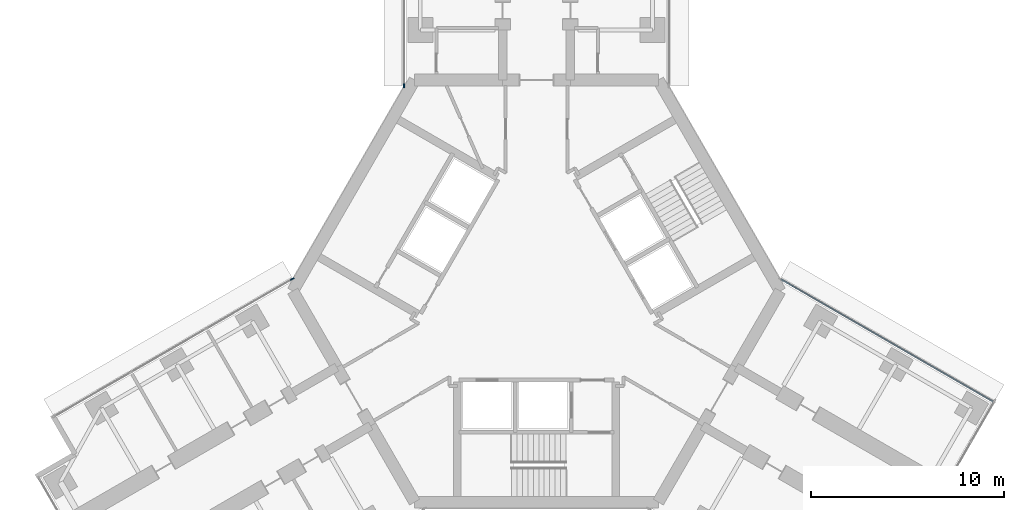
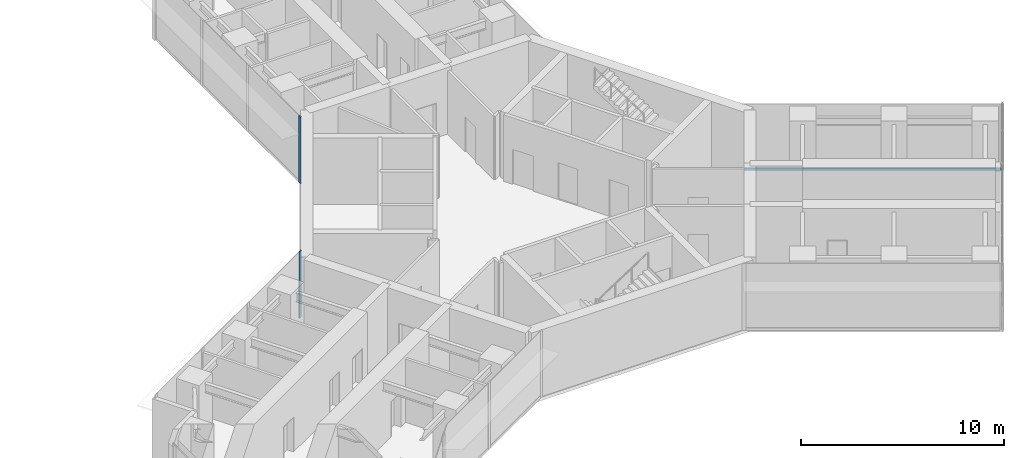
# One storey, part 9 of 22: 3 members, 3 elements without a shape of their own.
"""IFC4 building model written with IfcOpenShell, lengths in metres."""

from ifc_helpers import new_model, si_unit, direction, frame, origin, origin_2d, place, context, subcontext, project, spatial, rectangle, extrude, material, material_profile, profile_set, type_object, element, aggregate, save


model = new_model("IFC4")

# Units and contexts
model_context = context("Model", 3, precision=1e-05, world=origin(), true_north=direction((0.0, 1.0)))
body_context = subcontext(model_context, "Body", "Model", "MODEL_VIEW")
ifc_project = project(units=[si_unit("LENGTHUNIT", "METRE"), si_unit("AREAUNIT", "SQUARE_METRE"), si_unit("VOLUMEUNIT", "CUBIC_METRE"), si_unit("PLANEANGLEUNIT", "RADIAN"), si_unit("MASSUNIT", "GRAM", prefix="KILO")], contexts=[model_context])

# Site, building, storey
site_placement = place(None, origin())
site = spatial("IfcSite", under=ifc_project, at=site_placement, CompositionType="ELEMENT")
building_placement = place(site_placement, origin())
building = spatial("IfcBuilding", under=site, at=building_placement, Name="Upepo Twin Towers", CompositionType="ELEMENT")
storey_placement = place(building_placement, frame((0.0, 0.0, 121.5)))
storey = spatial("IfcBuildingStorey", under=building, at=storey_placement, Name="L29", CompositionType="ELEMENT", Elevation=121.5)

# Curtain wall, member
ifc_material_1 = material(Name="Aluminium and fritted glass", Category="aluminium")
curtain_wall_type = type_object("IfcCurtainWallType", Name="Tower curtain wall TW2, fritted glass", PredefinedType="NOTDEFINED", material=ifc_material_1)
curtain_wall_1_placement = place(storey_placement, origin())
curtain_wall_1 = element("IfcCurtainWall", 1, at=curtain_wall_1_placement, inside=storey, type_object=curtain_wall_type, Name="T2 L29 wing A flank L curtain wall", PredefinedType="NOTDEFINED")
ifc_material_2 = material(Name="Aluminium mullion", Category="aluminium")
ifc_material_profile_1 = material_profile(ifc_material_2, rectangle(XDim=0.06494140625, YDim=0.199951171875, at=origin_2d()), Name="MULLION 65x200")
ifc_profile_set_1 = profile_set([ifc_material_profile_1], Name="Aluminium mullion")
member_type_1 = type_object("IfcMemberType", Name="Mullion 65x200 TW2", PredefinedType="MULLION", material=ifc_profile_set_1)
member_1_placement = place(storey_placement, frame((51.64990234375, -7.38037109375, 0.0), z_axis=(0.0, 0.0, 1.0), x_axis=(-1.0, 0.0, 0.0)))
member_1 = element("IfcMember", 2, at=member_1_placement, type_object=member_type_1, Name="T2 L29 wing A flank L curtain wall mullion 1", PredefinedType="MULLION", context=body_context, shape_type="SweptSolid", body=[
    extrude(rectangle(XDim=0.06494140625, YDim=0.199951171875, at=origin_2d()), origin(), (0.0, 0.0, 1.0), 4.0),
])
aggregate(curtain_wall_1, [member_1])

curtain_wall_2_placement = place(storey_placement, origin())
curtain_wall_2 = element("IfcCurtainWall", 3, at=curtain_wall_2_placement, inside=storey, type_object=curtain_wall_type, Name="T2 L29 wing B flank R curtain wall", PredefinedType="NOTDEFINED")
member_2_placement = place(storey_placement, frame((45.878173828125, -17.37744140625, 0.0), z_axis=(0.0, 0.0, 1.0), x_axis=(-0.500000010308, 0.866025397833, 0.0)))
member_2 = element("IfcMember", 4, at=member_2_placement, type_object=member_type_1, Name="T2 L29 wing B flank R curtain wall mullion 4", PredefinedType="MULLION", context=body_context, shape_type="SweptSolid", body=[
    extrude(rectangle(XDim=0.06494140625, YDim=0.199951171875, at=origin_2d()), origin(), (0.0, 0.0, 1.0), 4.0),
])
aggregate(curtain_wall_2, [member_2])

curtain_wall_3_placement = place(storey_placement, origin())
curtain_wall_3 = element("IfcCurtainWall", 5, at=curtain_wall_3_placement, inside=storey, type_object=curtain_wall_type, Name="T2 L29 wing C flank L curtain wall", PredefinedType="NOTDEFINED")
ifc_material_3 = material(Name="Aluminium transom", Category="aluminium")
ifc_material_profile_2 = material_profile(ifc_material_3, rectangle(XDim=0.06494140625, YDim=0.14990234375, at=origin_2d()), Name="TRANSOM 65x150")
ifc_profile_set_2 = profile_set([ifc_material_profile_2], Name="Aluminium transom")
member_type_2 = type_object("IfcMemberType", Name="Transom 65x150 TW2", PredefinedType="USERDEFINED", material=ifc_profile_set_2)
member_3_placement = place(storey_placement, frame((71.14990234375, -17.393798828125, 0.074951171875), z_axis=(0.866027247007, -0.499996807431, 0.0), x_axis=(0.499996807431, 0.866027247007, 0.0)))
member_3 = element("IfcMember", 6, at=member_3_placement, type_object=member_type_2, Name="T2 L29 wing C flank L curtain wall transom 1", ObjectType="TRANSOM", PredefinedType="USERDEFINED", context=body_context, shape_type="SweptSolid", body=[
    extrude(rectangle(XDim=0.06494140625, YDim=0.14990234375, at=origin_2d()), origin(), (0.0, 0.0, 1.0), 12.6328125),
])
aggregate(curtain_wall_3, [member_3])

save(model, "model.ifc")
